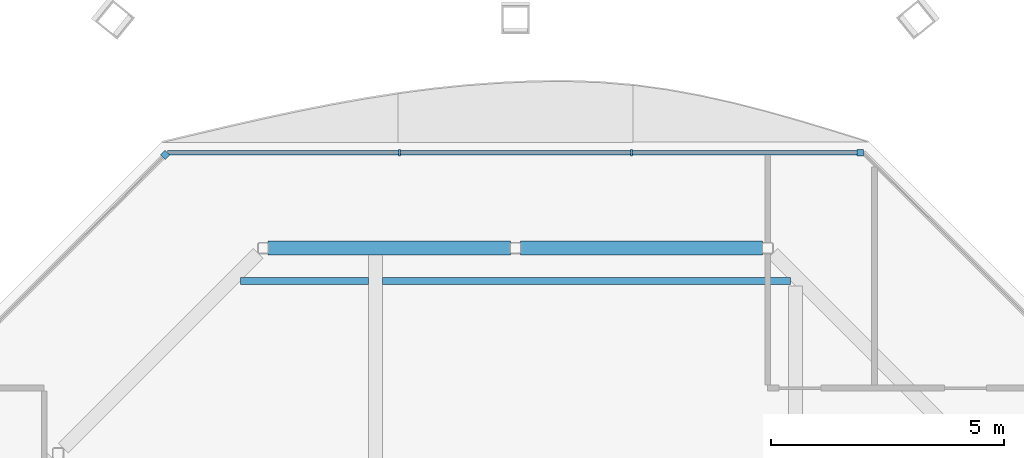
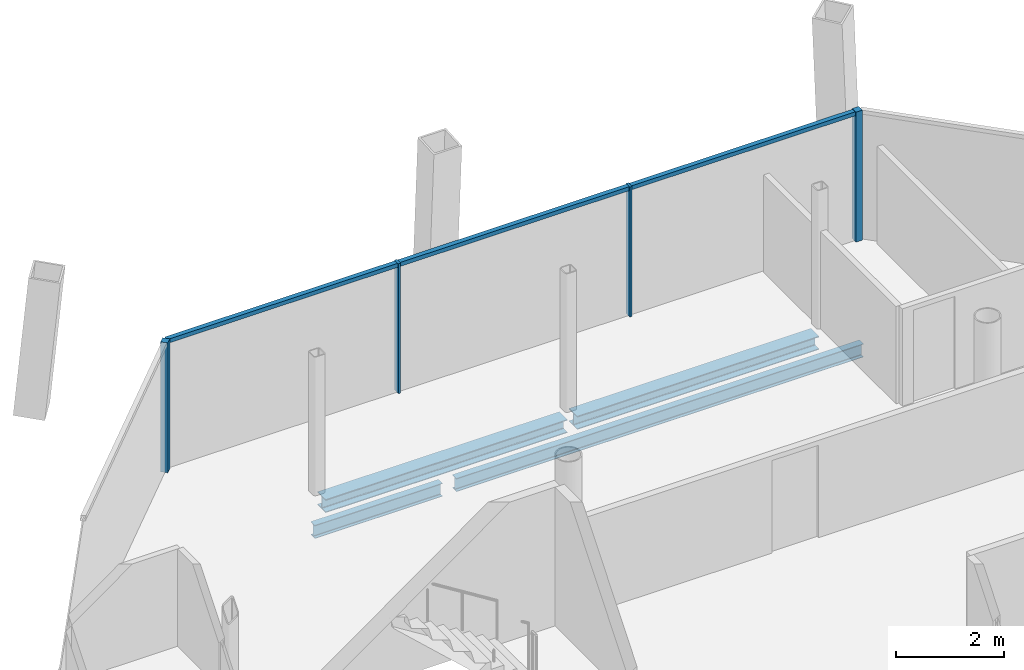
# One storey, part 8 of 14: 7 members, 4 beams, 2 elements without a shape of their own.
"""IFC4 building model written with IfcOpenShell, lengths in metres."""

import ifcopenshell
import ifcopenshell.guid

model = None  # the IFC model being written
_history = None  # IfcOwnerHistory: only IFC2X3 demands one
_inside = {}  # id of a spatial element -> (the spatial element, [elements in it])
_under = {}  # id of a project, library or spatial element -> (it, [spatial elements below it])
_declared = {}  # id of a project -> (the project, [libraries it declares])
_typed = {}  # id of a type object -> (the type object, [elements of that type])
_made_of = {}  # id of a material, layer set ... -> (it, [elements and type objects made of it])


def new_model(schema):
    """Start an empty IFC model of exactly this schema.

    Asked for "IFC4X3", IfcOpenShell would pick the latest addendum, in which some entities
    have other attributes; the version numbers below select the first issue.
    IFC2X3 requires an IfcOwnerHistory on every rooted entity: one is made here for all.
    """
    global model, _history
    if schema == "IFC4X3":
        model = ifcopenshell.file(schema_version=(4, 3, 0, 0))
    else:
        model = ifcopenshell.file(schema=schema)
    _inside.clear()
    _under.clear()
    _declared.clear()
    _typed.clear()
    _made_of.clear()
    _history = None
    if model.schema == "IFC2X3":
        org = make("IfcOrganization", Name="unknown")
        user = make(
            "IfcPersonAndOrganization",
            ThePerson=make("IfcPerson", FamilyName="unknown"),
            TheOrganization=org,
        )
        app = make(
            "IfcApplication",
            ApplicationDeveloper=org,
            Version="unknown",
            ApplicationFullName="unknown",
            ApplicationIdentifier="unknown",
        )
        _history = make(
            "IfcOwnerHistory",
            OwningUser=user,
            OwningApplication=app,
            ChangeAction="ADDED",
            CreationDate=0,
        )
    return model


def make(cls, **values):
    """One entity of the class cls with the attributes given. An attribute that is None is left unset."""
    return model.create_entity(
        cls, **{name: value for name, value in values.items() if value is not None}
    )


def rooted(cls, **values):
    """An entity with a GlobalId (a new one), such as an element, a storey or a relation."""
    return make(cls, GlobalId=ifcopenshell.guid.new(), OwnerHistory=_history, **values)


def si_unit(unit_type, name, prefix=None):
    """IfcSIUnit, for example si_unit("LENGTHUNIT", "METRE", prefix="MILLI")."""
    return make("IfcSIUnit", UnitType=unit_type, Prefix=prefix, Name=name)


def assignment(units):
    """IfcUnitAssignment: the units of a project."""
    return None if units is None else make("IfcUnitAssignment", Units=units)


def point(xyz):
    """IfcCartesianPoint."""
    return None if xyz is None else make("IfcCartesianPoint", Coordinates=xyz)


def direction(xyz):
    """IfcDirection."""
    return None if xyz is None else make("IfcDirection", DirectionRatios=xyz)


def frame(location, z_axis=None, x_axis=None):
    """IfcAxis2Placement3D, a coordinate frame: its origin and axes. An axis left out is left unset."""
    return make(
        "IfcAxis2Placement3D",
        Location=point(location),
        Axis=direction(z_axis),
        RefDirection=direction(x_axis),
    )


def frame_2d(location, x_axis=None):
    """IfcAxis2Placement2D, a coordinate frame in the plane: its origin and x axis."""
    return make(
        "IfcAxis2Placement2D", Location=point(location), RefDirection=direction(x_axis)
    )


def origin():
    """The frame at (0, 0, 0) with its axes left unset."""
    return frame((0.0, 0.0, 0.0))


def origin_2d():
    """The frame at (0, 0) in the plane with its x axis left unset."""
    return frame_2d((0.0, 0.0))


def place(relative_to, where):
    """IfcLocalPlacement: puts the frame where relative to a parent placement (None: the world)."""
    return make(
        "IfcLocalPlacement", PlacementRelTo=relative_to, RelativePlacement=where
    )


def context(
    kind, dimensions, precision=None, world=None, true_north=None, identifier=None
):
    """IfcGeometricRepresentationContext, for example the 3D "Model" context."""
    return make(
        "IfcGeometricRepresentationContext",
        ContextIdentifier=identifier,
        ContextType=kind,
        CoordinateSpaceDimension=dimensions,
        Precision=precision,
        WorldCoordinateSystem=world,
        TrueNorth=true_north,
    )


def subcontext(parent, identifier, kind, view, scale=None):
    """IfcGeometricRepresentationSubContext, for example "Body" below "Model"."""
    return make(
        "IfcGeometricRepresentationSubContext",
        ContextIdentifier=identifier,
        ContextType=kind,
        ParentContext=parent,
        TargetScale=scale,
        TargetView=view,
    )


def project(units=None, contexts=None):
    """IfcProject with its units and contexts."""
    return rooted(
        "IfcProject",
        Name="project",
        RepresentationContexts=contexts,
        UnitsInContext=assignment(units),
    )


def spatial(cls, under=None, at=None, **own):
    """A site, building, storey or space (cls), placed at a placement, below another one or the project."""
    s = rooted(cls, ObjectPlacement=at, **own)
    if under is not None:
        _under.setdefault(under.id(), (under, []))[1].append(s)
    return s


def profile(cls, at=None, kind="AREA", **sizes):
    """A parametric profile (cls). Its sizes go by their IFC names, for example OverallWidth=200.0."""
    return make(cls, ProfileType=kind, Position=at, **sizes)


def rectangle(**sizes):
    """IfcRectangleProfileDef."""
    return profile("IfcRectangleProfileDef", **sizes)


def i_section(**sizes):
    """IfcIShapeProfileDef."""
    return profile("IfcIShapeProfileDef", **sizes)


def extrude(swept, where, along, depth):
    """IfcExtrudedAreaSolid: the profile swept, set in the frame where, extruded along a direction by depth."""
    return make(
        "IfcExtrudedAreaSolid",
        SweptArea=swept,
        Position=where,
        ExtrudedDirection=direction(along),
        Depth=depth,
    )


def shape(context_of_items, identifier, shape_type, items):
    """IfcShapeRepresentation: the items that make up one representation, for example the "Body"."""
    return make(
        "IfcShapeRepresentation",
        ContextOfItems=context_of_items,
        RepresentationIdentifier=identifier,
        RepresentationType=shape_type,
        Items=items,
    )


def material(Name=None, Category=None):
    """IfcMaterial."""
    return make("IfcMaterial", Name=Name, Category=Category)


def material_profile(
    of_material, cross_section, Name=None, Category=None, Priority=None
):
    """IfcMaterialProfile: a cross section and its material."""
    return make(
        "IfcMaterialProfile",
        Name=Name,
        Material=of_material,
        Profile=cross_section,
        Priority=Priority,
        Category=Category,
    )


def profile_set(profiles, Name=None, composite=None):
    """IfcMaterialProfileSet."""
    return make(
        "IfcMaterialProfileSet",
        Name=Name,
        MaterialProfiles=profiles,
        CompositeProfile=composite,
    )


def made_of(thing, what):
    """Note that an element or type object is made of a material, layer set ...; save() writes the relation."""
    if what is not None:
        _made_of.setdefault(what.id(), (what, []))[1].append(thing)
    return thing


def type_object(cls, material=None, **own):
    """A type object (cls), such as IfcWallType, which elements share."""
    return made_of(rooted(cls, **own), material)


def element(
    cls,
    number,
    at=None,
    inside=None,
    cuts=None,
    type_object=None,
    material=None,
    context=None,
    identifier="Body",
    shape_type=None,
    held_by="IfcProductDefinitionShape",
    body=None,
    shapes=None,
    **own,
):
    """One element of the class cls, such as IfcWall. Its Tag is "e" and its number.

    at: its placement. inside: the storey or other place that contains it. cuts: it is an
    opening in that element (IfcRelVoidsElement). A single representation is given by context,
    identifier, shape_type and body (its items); several are given by shapes. held_by: the class
    of the entity that holds the representations. save() writes the other relations.
    """
    e = rooted(cls, Tag="e%d" % number, ObjectPlacement=at, **own)
    if body is not None:
        shapes = [shape(context, identifier, shape_type, body)]
    if shapes is not None:
        e.Representation = make(held_by, Representations=shapes)
    if inside is not None:
        _inside.setdefault(inside.id(), (inside, []))[1].append(e)
    if cuts is not None:
        rooted(
            "IfcRelVoidsElement", RelatingBuildingElement=cuts, RelatedOpeningElement=e
        )
    if type_object is not None:
        _typed.setdefault(type_object.id(), (type_object, []))[1].append(e)
    return made_of(e, material)


def aggregate(whole, parts):
    """IfcRelAggregates: a whole, such as a stair, and the parts it consists of."""
    return rooted("IfcRelAggregates", RelatingObject=whole, RelatedObjects=parts)


def save(model, path):
    """Write the relations noted so far, then the file.

    IfcRelAggregates (storeys below a building ...), IfcRelContainedInSpatialStructure (elements
    in a storey), IfcRelDefinesByType, IfcRelAssociatesMaterial and IfcRelDeclares: one each for
    every whole, place, type object, material and project.
    """
    for whole, parts in _under.values():
        aggregate(whole, parts)
    for where, things in _inside.values():
        rooted(
            "IfcRelContainedInSpatialStructure",
            RelatedElements=things,
            RelatingStructure=where,
        )
    for kind, things in _typed.values():
        rooted("IfcRelDefinesByType", RelatedObjects=things, RelatingType=kind)
    for what, things in _made_of.values():
        rooted("IfcRelAssociatesMaterial", RelatedObjects=things, RelatingMaterial=what)
    for by, libraries in _declared.values():
        rooted("IfcRelDeclares", RelatingContext=by, RelatedDefinitions=libraries)
    model.write(path)


model = new_model("IFC4")

# Units and contexts
model_context = context("Model", 3, precision=1e-05, world=origin(), true_north=direction((0.0, 1.0)))
body_context = subcontext(model_context, "Body", "Model", "MODEL_VIEW")
ifc_project = project(units=[si_unit("LENGTHUNIT", "METRE"), si_unit("AREAUNIT", "SQUARE_METRE"), si_unit("VOLUMEUNIT", "CUBIC_METRE"), si_unit("PLANEANGLEUNIT", "RADIAN"), si_unit("MASSUNIT", "GRAM", prefix="KILO")], contexts=[model_context])

# Site, building, storey
site_placement = place(None, origin())
site = spatial("IfcSite", under=ifc_project, at=site_placement, CompositionType="ELEMENT")
building_placement = place(site_placement, origin())
building = spatial("IfcBuilding", under=site, at=building_placement, Name="Tskaro Facet Tower", CompositionType="ELEMENT")
storey_placement = place(building_placement, frame((0.0, 0.0, 272.10009765625)))
storey = spatial("IfcBuildingStorey", under=building, at=storey_placement, Name="L72", CompositionType="ELEMENT", Elevation=272.10009765625)

# Curtain wall, member
ifc_material_1 = material(Name="Bronze anodised aluminium 6063-T6", Category="aluminium")
curtain_wall_type = type_object("IfcCurtainWallType", Name="Bronze residence curtain wall (FW3)", PredefinedType="NOTDEFINED", material=ifc_material_1)
curtain_wall_1_placement = place(storey_placement, origin())
curtain_wall_1 = element("IfcCurtainWall", 1, at=curtain_wall_1_placement, inside=storey, type_object=curtain_wall_type, Name="FW3 north facet L72", PredefinedType="NOTDEFINED")
ifc_material_profile_1 = material_profile(ifc_material_1, rectangle(XDim=0.139892578125, YDim=0.139892578125, at=origin_2d()), Name="Corner post 140x140")
ifc_profile_set_1 = profile_set([ifc_material_profile_1], Name="Bronze anodised aluminium 6063-T6")
member_type_1 = type_object("IfcMemberType", Name="FW3 bronze corner post 140x140", PredefinedType="MULLION", material=ifc_profile_set_1)
member_1_placement = place(storey_placement, frame((10.386962890625, 16.24609375, 0.0), z_axis=(0.0, 0.0, 1.0), x_axis=(-1.0, 0.0, 0.0)))
member_1 = element("IfcMember", 2, at=member_1_placement, type_object=member_type_1, Name="FW3 north corner post", PredefinedType="MULLION", context=body_context, shape_type="SweptSolid", body=[
    extrude(rectangle(XDim=0.139892578125, YDim=0.139892578125, at=origin_2d()), origin(), (0.0, 0.0, 1.0), 2.949951171875),
])

curtain_wall_2_placement = place(storey_placement, origin())
curtain_wall_2 = element("IfcCurtainWall", 3, at=curtain_wall_2_placement, inside=storey, type_object=curtain_wall_type, Name="FW3 north-west facet L72", PredefinedType="NOTDEFINED")
member_2_placement = place(storey_placement, frame((-4.506591796875, 16.196533203125, 0.0), z_axis=(0.0, 0.0, 1.0), x_axis=(-0.707106781187, -0.707106781187, 0.0)))
member_2 = element("IfcMember", 4, at=member_2_placement, type_object=member_type_1, Name="FW3 north-west corner post", PredefinedType="MULLION", context=body_context, shape_type="SweptSolid", body=[
    extrude(rectangle(XDim=0.139892578125, YDim=0.139892578125, at=origin_2d()), origin(), (0.0, 0.0, 1.0), 2.949951171875),
])
aggregate(curtain_wall_2, [member_2])

# Member
ifc_material_profile_2 = material_profile(ifc_material_1, rectangle(XDim=0.050048828125, YDim=0.139892578125, at=origin_2d()), Name="Mullion 50x140")
ifc_profile_set_2 = profile_set([ifc_material_profile_2], Name="Bronze anodised aluminium 6063-T6")
member_type_2 = type_object("IfcMemberType", Name="FW3 bronze mullion 50x140", PredefinedType="MULLION", material=ifc_profile_set_2)
member_3_placement = place(storey_placement, frame((5.485595703125, 16.24609375, 0.0), z_axis=(0.0, 0.0, 1.0), x_axis=(-1.0, 0.0, 0.0)))
member_3 = element("IfcMember", 5, at=member_3_placement, type_object=member_type_2, Name="FW3 north mullion 1", PredefinedType="MULLION", context=body_context, shape_type="SweptSolid", body=[
    extrude(rectangle(XDim=0.050048828125, YDim=0.139892578125, at=origin_2d()), origin(), (0.0, 0.0, 1.0), 2.949951171875),
])

member_4_placement = place(storey_placement, frame((0.514404296875, 16.24609375, 0.0), z_axis=(0.0, 0.0, 1.0), x_axis=(-1.0, 0.0, 0.0)))
member_4 = element("IfcMember", 6, at=member_4_placement, type_object=member_type_2, Name="FW3 north mullion 2", PredefinedType="MULLION", context=body_context, shape_type="SweptSolid", body=[
    extrude(rectangle(XDim=0.050048828125, YDim=0.139892578125, at=origin_2d()), origin(), (0.0, 0.0, 1.0), 2.949951171875),
])

ifc_material_profile_3 = material_profile(ifc_material_1, rectangle(XDim=0.10009765625, YDim=0.090087890625, at=origin_2d()), Name="Transom 100x90")
ifc_profile_set_3 = profile_set([ifc_material_profile_3], Name="Bronze anodised aluminium 6063-T6")
member_type_3 = type_object("IfcMemberType", Name="FW3 bronze transom 100x90", PredefinedType="USERDEFINED", material=ifc_profile_set_3)
member_5_placement = place(storey_placement, frame((10.31689453125, 16.24609375, 2.90478515625), z_axis=(-1.0, 0.0, 0.0), x_axis=(0.0, -1.0, 0.0)))
member_5 = element("IfcMember", 7, at=member_5_placement, type_object=member_type_3, Name="FW3 north transom 1.1", ObjectType="TRANSOM", PredefinedType="USERDEFINED", context=body_context, shape_type="SweptSolid", body=[
    extrude(rectangle(XDim=0.10009765625, YDim=0.090087890625, at=origin_2d()), origin(), (0.0, 0.0, 1.0), 4.80615234375),
])

member_6_placement = place(storey_placement, frame((5.460693359375, 16.24609375, 2.90478515625), z_axis=(-1.0, 0.0, 0.0), x_axis=(0.0, -1.0, 0.0)))
member_6 = element("IfcMember", 8, at=member_6_placement, type_object=member_type_3, Name="FW3 north transom 2.1", ObjectType="TRANSOM", PredefinedType="USERDEFINED", context=body_context, shape_type="SweptSolid", body=[
    extrude(rectangle(XDim=0.10009765625, YDim=0.090087890625, at=origin_2d()), origin(), (0.0, 0.0, 1.0), 4.92138671875),
])

member_7_placement = place(storey_placement, frame((0.4892578125, 16.24609375, 2.90478515625), z_axis=(-1.0, 0.0, 0.0), x_axis=(0.0, -1.0, 0.0)))
member_7 = element("IfcMember", 9, at=member_7_placement, type_object=member_type_3, Name="FW3 north transom 3.1", ObjectType="TRANSOM", PredefinedType="USERDEFINED", context=body_context, shape_type="SweptSolid", body=[
    extrude(rectangle(XDim=0.10009765625, YDim=0.090087890625, at=origin_2d()), origin(), (0.0, 0.0, 1.0), 4.9462890625),
])

aggregate(curtain_wall_1, [member_1, member_3, member_4, member_5, member_6, member_7])

# Beams
ifc_material_2 = material(Name="Steel S355J2", Category="steel")
ifc_material_profile_4 = material_profile(ifc_material_2, i_section(OverallWidth=0.300048828125, OverallDepth=0.300048828125, WebThickness=0.010986328125, FlangeThickness=0.01904296875, FilletRadius=0.027099609375, at=origin_2d()), Name="HE 300 B")
ifc_profile_set_4 = profile_set([ifc_material_profile_4], Name="Steel S355J2")
beam_type_1 = type_object("IfcBeamType", Name="HE 300 B ring beam", PredefinedType="BEAM", material=ifc_profile_set_4)
for number, where, z_axis, x_axis, name in (
    (10, (8.298095703125, 14.199951171875, -0.2900390625), (-1.0, 0.0, 0.0), (0.0, -1.0, 0.0), "HE 300 B EB9-6"),
    (11, (2.89501953125, 14.199951171875, -0.2900390625), (-1.0, 0.0, 0.0), (0.0, -1.0, 0.0), "HE 300 B EB10-6"),
):
    element("IfcBeam", number, at=place(storey_placement, frame(where, z_axis=z_axis, x_axis=x_axis)), inside=storey, type_object=beam_type_1, Name=name, PredefinedType="BEAM", context=body_context, shape_type="SweptSolid", body=[
        extrude(i_section(OverallWidth=0.300048828125, OverallDepth=0.300048828125, WebThickness=0.010986328125, FlangeThickness=0.01904296875, FilletRadius=0.027099609375, at=origin_2d()), origin(), (0.0, 0.0, 1.0), 5.193115234375),
    ])
ifc_material_profile_5 = material_profile(ifc_material_2, i_section(OverallWidth=0.14990234375, OverallDepth=0.300048828125, WebThickness=0.007080078125, FlangeThickness=0.0107421875, FilletRadius=0.014892578125, at=origin_2d()), Name="IPE 300")
ifc_profile_set_5 = profile_set([ifc_material_profile_5], Name="Steel S355J2")
beam_type_2 = type_object("IfcBeamType", Name="IPE 300 secondary beam", PredefinedType="BEAM", material=ifc_profile_set_5)
beam_1_placement = place(storey_placement, frame((-2.89111328125, 13.5, -0.2900390625), z_axis=(1.0, 0.0, 0.0), x_axis=(0.0, 1.0, 0.0)))
element("IfcBeam", 12, at=beam_1_placement, inside=storey, type_object=beam_type_2, Name="IPE 300 SB5a-1-6", PredefinedType="BEAM", context=body_context, shape_type="SweptSolid", body=[
    extrude(i_section(OverallWidth=0.14990234375, OverallDepth=0.300048828125, WebThickness=0.007080078125, FlangeThickness=0.0107421875, FilletRadius=0.014892578125, at=origin_2d()), origin(), (0.0, 0.0, 1.0), 2.7412109375),
])
beam_2_placement = place(storey_placement, frame((0.14990234375, 13.5, -0.2900390625), z_axis=(1.0, 0.0, 0.0), x_axis=(0.0, 1.0, 0.0)))
element("IfcBeam", 13, at=beam_2_placement, inside=storey, type_object=beam_type_2, Name="IPE 300 SB5a-2-6", PredefinedType="BEAM", context=body_context, shape_type="SweptSolid", body=[
    extrude(i_section(OverallWidth=0.14990234375, OverallDepth=0.300048828125, WebThickness=0.007080078125, FlangeThickness=0.0107421875, FilletRadius=0.014892578125, at=origin_2d()), origin(), (0.0, 0.0, 1.0), 8.7412109375),
])

save(model, "model.ifc")
